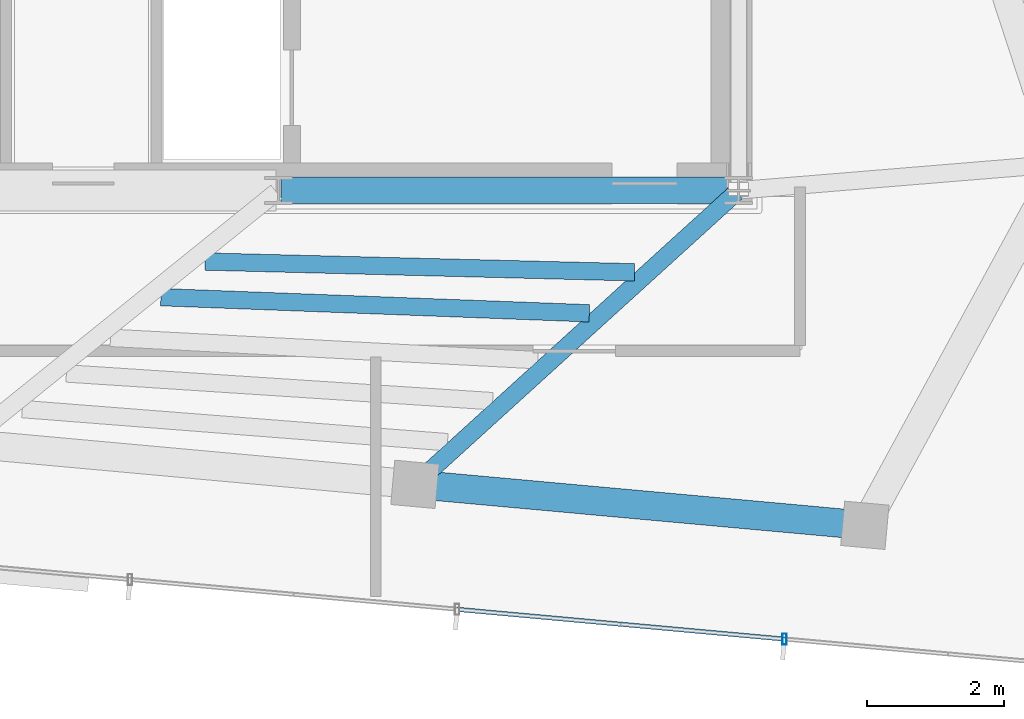
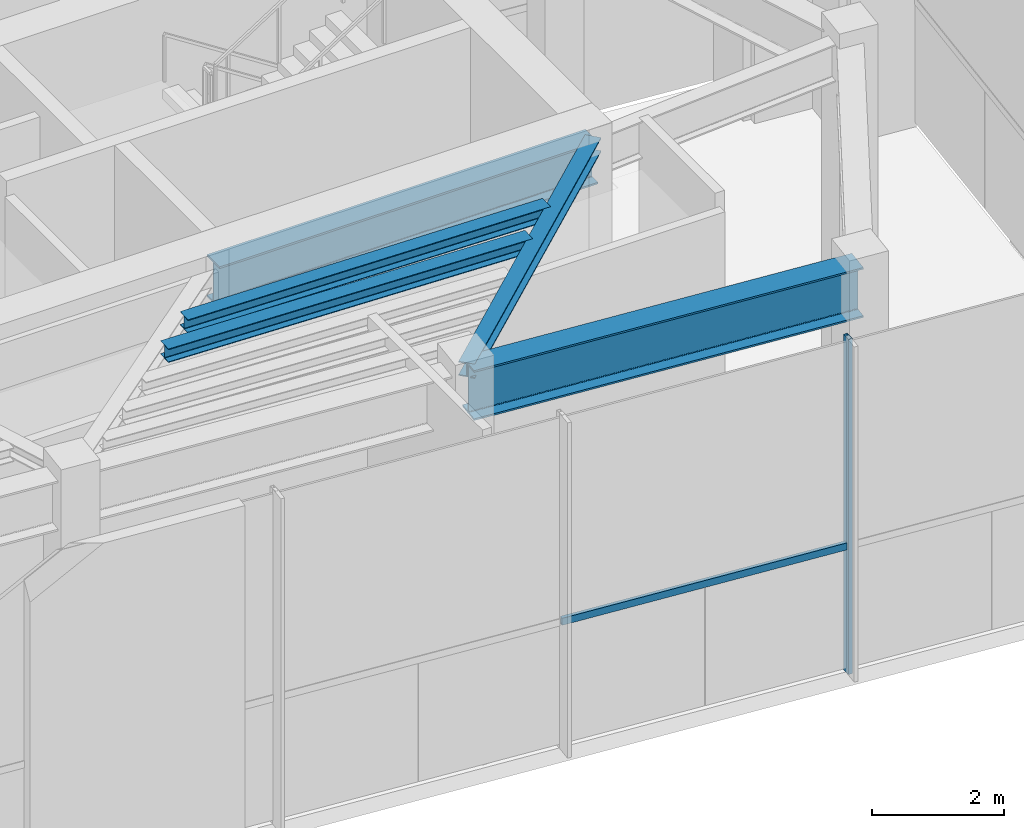
# One storey, part 7 of 19: 5 beams, 2 members, 1 element without a shape of its own.
"""IFC4 building model written with IfcOpenShell, lengths in metres."""

import ifcopenshell
import ifcopenshell.guid

model = None  # the IFC model being written
_history = None  # IfcOwnerHistory: only IFC2X3 demands one
_inside = {}  # id of a spatial element -> (the spatial element, [elements in it])
_under = {}  # id of a project, library or spatial element -> (it, [spatial elements below it])
_declared = {}  # id of a project -> (the project, [libraries it declares])
_typed = {}  # id of a type object -> (the type object, [elements of that type])
_made_of = {}  # id of a material, layer set ... -> (it, [elements and type objects made of it])


def new_model(schema):
    """Start an empty IFC model of exactly this schema.

    Asked for "IFC4X3", IfcOpenShell would pick the latest addendum, in which some entities
    have other attributes; the version numbers below select the first issue.
    IFC2X3 requires an IfcOwnerHistory on every rooted entity: one is made here for all.
    """
    global model, _history
    if schema == "IFC4X3":
        model = ifcopenshell.file(schema_version=(4, 3, 0, 0))
    else:
        model = ifcopenshell.file(schema=schema)
    _inside.clear()
    _under.clear()
    _declared.clear()
    _typed.clear()
    _made_of.clear()
    _history = None
    if model.schema == "IFC2X3":
        org = make("IfcOrganization", Name="unknown")
        user = make(
            "IfcPersonAndOrganization",
            ThePerson=make("IfcPerson", FamilyName="unknown"),
            TheOrganization=org,
        )
        app = make(
            "IfcApplication",
            ApplicationDeveloper=org,
            Version="unknown",
            ApplicationFullName="unknown",
            ApplicationIdentifier="unknown",
        )
        _history = make(
            "IfcOwnerHistory",
            OwningUser=user,
            OwningApplication=app,
            ChangeAction="ADDED",
            CreationDate=0,
        )
    return model


def make(cls, **values):
    """One entity of the class cls with the attributes given. An attribute that is None is left unset."""
    return model.create_entity(
        cls, **{name: value for name, value in values.items() if value is not None}
    )


def rooted(cls, **values):
    """An entity with a GlobalId (a new one), such as an element, a storey or a relation."""
    return make(cls, GlobalId=ifcopenshell.guid.new(), OwnerHistory=_history, **values)


def si_unit(unit_type, name, prefix=None):
    """IfcSIUnit, for example si_unit("LENGTHUNIT", "METRE", prefix="MILLI")."""
    return make("IfcSIUnit", UnitType=unit_type, Prefix=prefix, Name=name)


def assignment(units):
    """IfcUnitAssignment: the units of a project."""
    return None if units is None else make("IfcUnitAssignment", Units=units)


def point(xyz):
    """IfcCartesianPoint."""
    return None if xyz is None else make("IfcCartesianPoint", Coordinates=xyz)


def direction(xyz):
    """IfcDirection."""
    return None if xyz is None else make("IfcDirection", DirectionRatios=xyz)


def frame(location, z_axis=None, x_axis=None):
    """IfcAxis2Placement3D, a coordinate frame: its origin and axes. An axis left out is left unset."""
    return make(
        "IfcAxis2Placement3D",
        Location=point(location),
        Axis=direction(z_axis),
        RefDirection=direction(x_axis),
    )


def frame_2d(location, x_axis=None):
    """IfcAxis2Placement2D, a coordinate frame in the plane: its origin and x axis."""
    return make(
        "IfcAxis2Placement2D", Location=point(location), RefDirection=direction(x_axis)
    )


def origin():
    """The frame at (0, 0, 0) with its axes left unset."""
    return frame((0.0, 0.0, 0.0))


def origin_2d():
    """The frame at (0, 0) in the plane with its x axis left unset."""
    return frame_2d((0.0, 0.0))


def place(relative_to, where):
    """IfcLocalPlacement: puts the frame where relative to a parent placement (None: the world)."""
    return make(
        "IfcLocalPlacement", PlacementRelTo=relative_to, RelativePlacement=where
    )


def context(
    kind, dimensions, precision=None, world=None, true_north=None, identifier=None
):
    """IfcGeometricRepresentationContext, for example the 3D "Model" context."""
    return make(
        "IfcGeometricRepresentationContext",
        ContextIdentifier=identifier,
        ContextType=kind,
        CoordinateSpaceDimension=dimensions,
        Precision=precision,
        WorldCoordinateSystem=world,
        TrueNorth=true_north,
    )


def subcontext(parent, identifier, kind, view, scale=None):
    """IfcGeometricRepresentationSubContext, for example "Body" below "Model"."""
    return make(
        "IfcGeometricRepresentationSubContext",
        ContextIdentifier=identifier,
        ContextType=kind,
        ParentContext=parent,
        TargetScale=scale,
        TargetView=view,
    )


def project(units=None, contexts=None):
    """IfcProject with its units and contexts."""
    return rooted(
        "IfcProject",
        Name="project",
        RepresentationContexts=contexts,
        UnitsInContext=assignment(units),
    )


def spatial(cls, under=None, at=None, **own):
    """A site, building, storey or space (cls), placed at a placement, below another one or the project."""
    s = rooted(cls, ObjectPlacement=at, **own)
    if under is not None:
        _under.setdefault(under.id(), (under, []))[1].append(s)
    return s


def profile(cls, at=None, kind="AREA", **sizes):
    """A parametric profile (cls). Its sizes go by their IFC names, for example OverallWidth=200.0."""
    return make(cls, ProfileType=kind, Position=at, **sizes)


def hollow_rectangle(**sizes):
    """IfcRectangleHollowProfileDef."""
    return profile("IfcRectangleHollowProfileDef", **sizes)


def i_section(**sizes):
    """IfcIShapeProfileDef."""
    return profile("IfcIShapeProfileDef", **sizes)


def extrude(swept, where, along, depth):
    """IfcExtrudedAreaSolid: the profile swept, set in the frame where, extruded along a direction by depth."""
    return make(
        "IfcExtrudedAreaSolid",
        SweptArea=swept,
        Position=where,
        ExtrudedDirection=direction(along),
        Depth=depth,
    )


def shape(context_of_items, identifier, shape_type, items):
    """IfcShapeRepresentation: the items that make up one representation, for example the "Body"."""
    return make(
        "IfcShapeRepresentation",
        ContextOfItems=context_of_items,
        RepresentationIdentifier=identifier,
        RepresentationType=shape_type,
        Items=items,
    )


def source(mapping_origin, context_of_items, identifier, shape_type, items):
    """IfcRepresentationMap: a shape defined once, which mapped items show again and again."""
    return make(
        "IfcRepresentationMap",
        MappingOrigin=mapping_origin,
        MappedRepresentation=shape(context_of_items, identifier, shape_type, items),
    )


def transform(
    local_origin,
    x_axis=None,
    y_axis=None,
    z_axis=None,
    scale=None,
    scale2=None,
    scale3=None,
    uniform=True,
):
    """IfcCartesianTransformationOperator3D, or its non-uniform kind. x_axis, y_axis, z_axis: its Axis1, 2, 3."""
    if uniform:
        return make(
            "IfcCartesianTransformationOperator3D",
            Axis1=direction(x_axis),
            Axis2=direction(y_axis),
            LocalOrigin=point(local_origin),
            Scale=scale,
            Axis3=direction(z_axis),
        )
    return make(
        "IfcCartesianTransformationOperator3DnonUniform",
        Axis1=direction(x_axis),
        Axis2=direction(y_axis),
        LocalOrigin=point(local_origin),
        Scale=scale,
        Axis3=direction(z_axis),
        Scale2=scale2,
        Scale3=scale3,
    )


def mapped(mapping_source, mapping_target):
    """IfcMappedItem: shows the shape of a source again, moved by a transform."""
    return make(
        "IfcMappedItem", MappingSource=mapping_source, MappingTarget=mapping_target
    )


def material(Name=None, Category=None):
    """IfcMaterial."""
    return make("IfcMaterial", Name=Name, Category=Category)


def material_profile(
    of_material, cross_section, Name=None, Category=None, Priority=None
):
    """IfcMaterialProfile: a cross section and its material."""
    return make(
        "IfcMaterialProfile",
        Name=Name,
        Material=of_material,
        Profile=cross_section,
        Priority=Priority,
        Category=Category,
    )


def profile_set(profiles, Name=None, composite=None):
    """IfcMaterialProfileSet."""
    return make(
        "IfcMaterialProfileSet",
        Name=Name,
        MaterialProfiles=profiles,
        CompositeProfile=composite,
    )


def made_of(thing, what):
    """Note that an element or type object is made of a material, layer set ...; save() writes the relation."""
    if what is not None:
        _made_of.setdefault(what.id(), (what, []))[1].append(thing)
    return thing


def type_object(cls, material=None, **own):
    """A type object (cls), such as IfcWallType, which elements share."""
    return made_of(rooted(cls, **own), material)


def type_shapes(of_type, sources):
    """Give a type object the sources (RepresentationMaps) that its elements show as mapped items."""
    of_type.RepresentationMaps = sources


def element(
    cls,
    number,
    at=None,
    inside=None,
    cuts=None,
    type_object=None,
    material=None,
    context=None,
    identifier="Body",
    shape_type=None,
    held_by="IfcProductDefinitionShape",
    body=None,
    shapes=None,
    **own,
):
    """One element of the class cls, such as IfcWall. Its Tag is "e" and its number.

    at: its placement. inside: the storey or other place that contains it. cuts: it is an
    opening in that element (IfcRelVoidsElement). A single representation is given by context,
    identifier, shape_type and body (its items); several are given by shapes. held_by: the class
    of the entity that holds the representations. save() writes the other relations.
    """
    e = rooted(cls, Tag="e%d" % number, ObjectPlacement=at, **own)
    if body is not None:
        shapes = [shape(context, identifier, shape_type, body)]
    if shapes is not None:
        e.Representation = make(held_by, Representations=shapes)
    if inside is not None:
        _inside.setdefault(inside.id(), (inside, []))[1].append(e)
    if cuts is not None:
        rooted(
            "IfcRelVoidsElement", RelatingBuildingElement=cuts, RelatedOpeningElement=e
        )
    if type_object is not None:
        _typed.setdefault(type_object.id(), (type_object, []))[1].append(e)
    return made_of(e, material)


def aggregate(whole, parts):
    """IfcRelAggregates: a whole, such as a stair, and the parts it consists of."""
    return rooted("IfcRelAggregates", RelatingObject=whole, RelatedObjects=parts)


def save(model, path):
    """Write the relations noted so far, then the file.

    IfcRelAggregates (storeys below a building ...), IfcRelContainedInSpatialStructure (elements
    in a storey), IfcRelDefinesByType, IfcRelAssociatesMaterial and IfcRelDeclares: one each for
    every whole, place, type object, material and project.
    """
    for whole, parts in _under.values():
        aggregate(whole, parts)
    for where, things in _inside.values():
        rooted(
            "IfcRelContainedInSpatialStructure",
            RelatedElements=things,
            RelatingStructure=where,
        )
    for kind, things in _typed.values():
        rooted("IfcRelDefinesByType", RelatedObjects=things, RelatingType=kind)
    for what, things in _made_of.values():
        rooted("IfcRelAssociatesMaterial", RelatedObjects=things, RelatingMaterial=what)
    for by, libraries in _declared.values():
        rooted("IfcRelDeclares", RelatingContext=by, RelatedDefinitions=libraries)
    model.write(path)


model = new_model("IFC4")

# Units and contexts
model_context = context("Model", 3, precision=1e-05, world=origin(), true_north=direction((0.0, 1.0)))
body_context = subcontext(model_context, "Body", "Model", "MODEL_VIEW")
ifc_project = project(units=[si_unit("LENGTHUNIT", "METRE"), si_unit("AREAUNIT", "SQUARE_METRE"), si_unit("VOLUMEUNIT", "CUBIC_METRE"), si_unit("PLANEANGLEUNIT", "RADIAN"), si_unit("MASSUNIT", "GRAM", prefix="KILO")], contexts=[model_context])

# Site, building, storey
site_placement = place(None, origin())
site = spatial("IfcSite", under=ifc_project, at=site_placement, CompositionType="ELEMENT")
building_placement = place(site_placement, origin())
building = spatial("IfcBuilding", under=site, at=building_placement, Name="Astriad Promenade Condominiums", CompositionType="ELEMENT")
storey_placement = place(building_placement, frame((0.0, 0.0, 283.800048828125)))
storey = spatial("IfcBuildingStorey", under=building, at=storey_placement, Name="L79", CompositionType="ELEMENT", Elevation=283.800048828125)

# Beams
ifc_material_1 = material(Name="Steel ASTM A992 Grade 50", Category="steel")
ifc_material_profile_1 = material_profile(ifc_material_1, i_section(OverallWidth=0.3837890625, OverallDepth=0.785888671875, WebThickness=0.019775390625, FlangeThickness=0.033447265625, FilletRadius=0.021484375, at=origin_2d()), Name="W30X211")
ifc_profile_set_1 = profile_set([ifc_material_profile_1], Name="Steel ASTM A992 Grade 50")
beam_type_1 = type_object("IfcBeamType", Name="STEEL FLOOR GIRDER W30X211", PredefinedType="BEAM", material=ifc_profile_set_1)
shared_shape_1 = source(origin(), body_context, "Body", "SweptSolid", [
    extrude(i_section(OverallWidth=0.3837890625, OverallDepth=0.785888671875, WebThickness=0.019775390625, FlangeThickness=0.033447265625, FilletRadius=0.021484375, at=origin_2d()), origin(), (0.0, 0.0, 1.0), 6.64013671875),
])
type_shapes(beam_type_1, [shared_shape_1])
beam_1_placement = place(storey_placement, frame((38.919921875, 17.39990234375, 5.826904296875), z_axis=(1.0, 0.0, 0.0), x_axis=(0.0, 1.0, 0.0)))
element("IfcBeam", 1, at=beam_1_placement, inside=storey, type_object=beam_type_1, Name="Core Ring Beam CG-S3-L79", PredefinedType="BEAM", context=body_context, shape_type="MappedRepresentation", body=[
    mapped(shared_shape_1, transform((0.0, 0.0, 0.0), scale=1.0)),
])
ifc_material_profile_2 = material_profile(ifc_material_1, i_section(OverallWidth=0.25732421875, OverallDepth=0.26416015625, WebThickness=0.011962890625, FlangeThickness=0.01953125, FilletRadius=0.0126953125, at=origin_2d()), Name="W10X68")
ifc_profile_set_2 = profile_set([ifc_material_profile_2], Name="Steel ASTM A992 Grade 50")
beam_type_2 = type_object("IfcBeamType", Name="STEEL CANOPY BEAM W10X68", PredefinedType="BEAM", material=ifc_profile_set_2)
shared_shape_2 = source(origin(), body_context, "Body", "SweptSolid", [
    extrude(i_section(OverallWidth=0.25732421875, OverallDepth=0.26416015625, WebThickness=0.011962890625, FlangeThickness=0.01953125, FilletRadius=0.0126953125, at=origin_2d()), origin(), (0.0, 0.0, 1.0), 6.307373046875),
])
type_shapes(beam_type_2, [shared_shape_2])
beam_2_placement = place(storey_placement, frame((40.902099609375, 13.13134765625, 6.087890625), z_axis=(0.740108187387, 0.672487822167, 0.0), x_axis=(-0.672487822167, 0.740108187387, 0.0)))
element("IfcBeam", 2, at=beam_2_placement, inside=storey, type_object=beam_type_2, Name="Primary Floor Girder PG-E2-L79", PredefinedType="BEAM", context=body_context, shape_type="MappedRepresentation", body=[
    mapped(shared_shape_2, transform((0.0, 0.0, 0.0), scale=1.0)),
])
ifc_material_profile_3 = material_profile(ifc_material_1, i_section(OverallWidth=0.418212890625, OverallDepth=0.926513671875, WebThickness=0.019287109375, FlangeThickness=0.031982421875, FilletRadius=0.024169921875, at=origin_2d()), Name="W36X231")
ifc_profile_set_3 = profile_set([ifc_material_profile_3], Name="Steel ASTM A992 Grade 50")
beam_type_3 = type_object("IfcBeamType", Name="STEEL CROWN RING BEAM W36X231", PredefinedType="BEAM", material=ifc_profile_set_3)
shared_shape_3 = source(origin(), body_context, "Body", "SweptSolid", [
    extrude(i_section(OverallWidth=0.418212890625, OverallDepth=0.926513671875, WebThickness=0.019287109375, FlangeThickness=0.031982421875, FilletRadius=0.024169921875, at=origin_2d()), origin(), (0.0, 0.0, 1.0), 6.52001953125),
])
type_shapes(beam_type_3, [shared_shape_3])
beam_3_placement = place(storey_placement, frame((40.912353515625, 13.100830078125, 5.756591796875), z_axis=(0.995885836952, -0.090616774155, 0.0), x_axis=(0.090616774155, 0.995885836952, 0.0)))
element("IfcBeam", 3, at=beam_3_placement, inside=storey, type_object=beam_type_3, Name="Perimeter Spandrel Beam SP-S4-L79", PredefinedType="BEAM", context=body_context, shape_type="MappedRepresentation", body=[
    mapped(shared_shape_3, transform((0.0, 0.0, 0.0), scale=1.0)),
])
ifc_material_profile_4 = material_profile(ifc_material_1, i_section(OverallWidth=0.25390625, OverallDepth=0.25390625, WebThickness=0.008544921875, FlangeThickness=0.01416015625, FilletRadius=0.0126953125, at=origin_2d()), Name="W10X49")
ifc_profile_set_4 = profile_set([ifc_material_profile_4], Name="Steel ASTM A992 Grade 50")
beam_type_4 = type_object("IfcBeamType", Name="STEEL TRIMMER JOIST W10X49", PredefinedType="JOIST", material=ifc_profile_set_4)
shared_shape_4 = source(origin(), body_context, "Body", "SweptSolid", [
    extrude(i_section(OverallWidth=0.25390625, OverallDepth=0.25390625, WebThickness=0.008544921875, FlangeThickness=0.01416015625, FilletRadius=0.0126953125, at=origin_2d()), origin(), (0.0, 0.0, 1.0), 6.263427734375),
])
beam_4_placement = place(storey_placement, frame((37.161865234375, 15.83935546875, 6.093017578125), z_axis=(0.999289399614, -0.03769211879, 0.0), x_axis=(0.03769211879, 0.999289399614, 0.0)))
element("IfcBeam", 4, at=beam_4_placement, inside=storey, type_object=beam_type_4, Name="Secondary Composite Floor Joist JCE-4-L79", PredefinedType="JOIST", context=body_context, shape_type="MappedRepresentation", body=[
    mapped(shared_shape_4, transform((0.0, 0.0, 0.0), scale=1.0)),
])
shared_shape_5 = source(origin(), body_context, "Body", "SweptSolid", [
    extrude(i_section(OverallWidth=0.25390625, OverallDepth=0.25390625, WebThickness=0.008544921875, FlangeThickness=0.01416015625, FilletRadius=0.0126953125, at=origin_2d()), origin(), (0.0, 0.0, 1.0), 6.27587890625),
])
type_shapes(beam_type_4, [shared_shape_4, shared_shape_5])
beam_5_placement = place(storey_placement, frame((37.80615234375, 16.359619140625, 6.093017578125), z_axis=(0.999685163085, -0.025091327348, 0.0), x_axis=(0.025091327348, 0.999685163085, 0.0)))
element("IfcBeam", 5, at=beam_5_placement, inside=storey, type_object=beam_type_4, Name="Secondary Composite Floor Joist JCE-5-L79", PredefinedType="JOIST", context=body_context, shape_type="MappedRepresentation", body=[
    mapped(shared_shape_5, transform((0.0, 0.0, 0.0), scale=1.0)),
])

# Curtain wall, members
ifc_material_2 = material(Name="Anodised aluminium Black Dark Glass Unitised", Category="aluminium")
curtain_wall_type = type_object("IfcCurtainWallType", Name="CW-TMD-LANTERN", PredefinedType="USERDEFINED", material=ifc_material_2)
curtain_wall_placement = place(storey_placement, origin())
curtain_wall = element("IfcCurtainWall", 6, at=curtain_wall_placement, inside=storey, type_object=curtain_wall_type, Name="CW-CRN-L79-18", ObjectType="UNITISED_CURTAIN_WALL", PredefinedType="USERDEFINED")
ifc_material_3 = material(Name="Anodised aluminium 6063-T6 Black", Category="aluminium")
ifc_material_profile_5 = material_profile(ifc_material_3, hollow_rectangle(XDim=0.06494140625, YDim=0.159912109375, WallThickness=0.00390625, at=origin_2d()), Name="ALU-MUL-65X160")
ifc_profile_set_5 = profile_set([ifc_material_profile_5], Name="Anodised aluminium 6063-T6 Black")
member_type_1 = type_object("IfcMemberType", Name="MUL-ALU-MUL-65X160", PredefinedType="MULLION", material=ifc_profile_set_5)
shared_shape_6 = source(origin(), body_context, "Body", "SweptSolid", [
    extrude(hollow_rectangle(XDim=0.06494140625, YDim=0.159912109375, WallThickness=0.00390625, at=origin_2d()), origin(), (0.0, 0.0, 1.0), 6.219970703125),
])
type_shapes(member_type_1, [shared_shape_6])
member_1_placement = place(storey_placement, frame((46.27099609375, 10.84326171875, 0.0), z_axis=(0.0, 0.0, 1.0), x_axis=(1.0, 0.0, 0.0)))
member_1 = element("IfcMember", 7, at=member_1_placement, type_object=member_type_1, Name="CW-CRN-L79-18-MUL-01", PredefinedType="MULLION", context=body_context, shape_type="MappedRepresentation", body=[
    mapped(shared_shape_6, transform((0.0, 0.0, 0.0), scale=1.0)),
])
ifc_material_profile_6 = material_profile(ifc_material_3, hollow_rectangle(XDim=0.06494140625, YDim=0.1298828125, WallThickness=0.00390625, at=origin_2d()), Name="ALU-TRN-65X130")
ifc_profile_set_6 = profile_set([ifc_material_profile_6], Name="Anodised aluminium 6063-T6 Black")
member_type_2 = type_object("IfcMemberType", Name="TRN-ALU-TRN-65X130", PredefinedType="USERDEFINED", material=ifc_profile_set_6)
shared_shape_7 = source(origin(), body_context, "Body", "SweptSolid", [
    extrude(hollow_rectangle(XDim=0.06494140625, YDim=0.1298828125, WallThickness=0.00390625, at=origin_2d()), origin(), (0.0, 0.0, 1.0), 4.80029296875),
])
type_shapes(member_type_2, [shared_shape_7])
member_2_placement = place(storey_placement, frame((46.27099609375, 10.84326171875, 2.349853515625), z_axis=(-0.995884447267, 0.090632045607, 0.0), x_axis=(-0.090632045607, -0.995884447267, 0.0)))
member_2 = element("IfcMember", 8, at=member_2_placement, type_object=member_type_2, Name="CW-CRN-L79-18-TRN-01-0", ObjectType="TRANSOM", PredefinedType="USERDEFINED", context=body_context, shape_type="MappedRepresentation", body=[
    mapped(shared_shape_7, transform((0.0, 0.0, 0.0), scale=1.0)),
])
aggregate(curtain_wall, [member_1, member_2])

save(model, "model.ifc")
